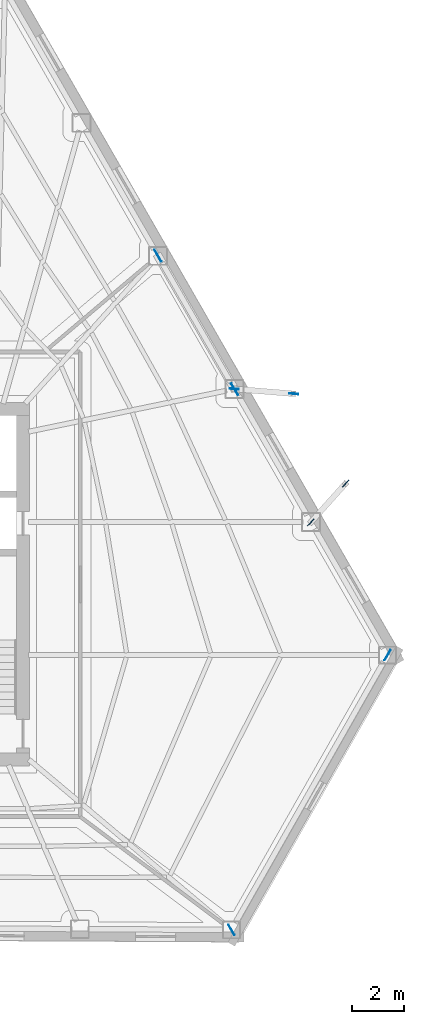
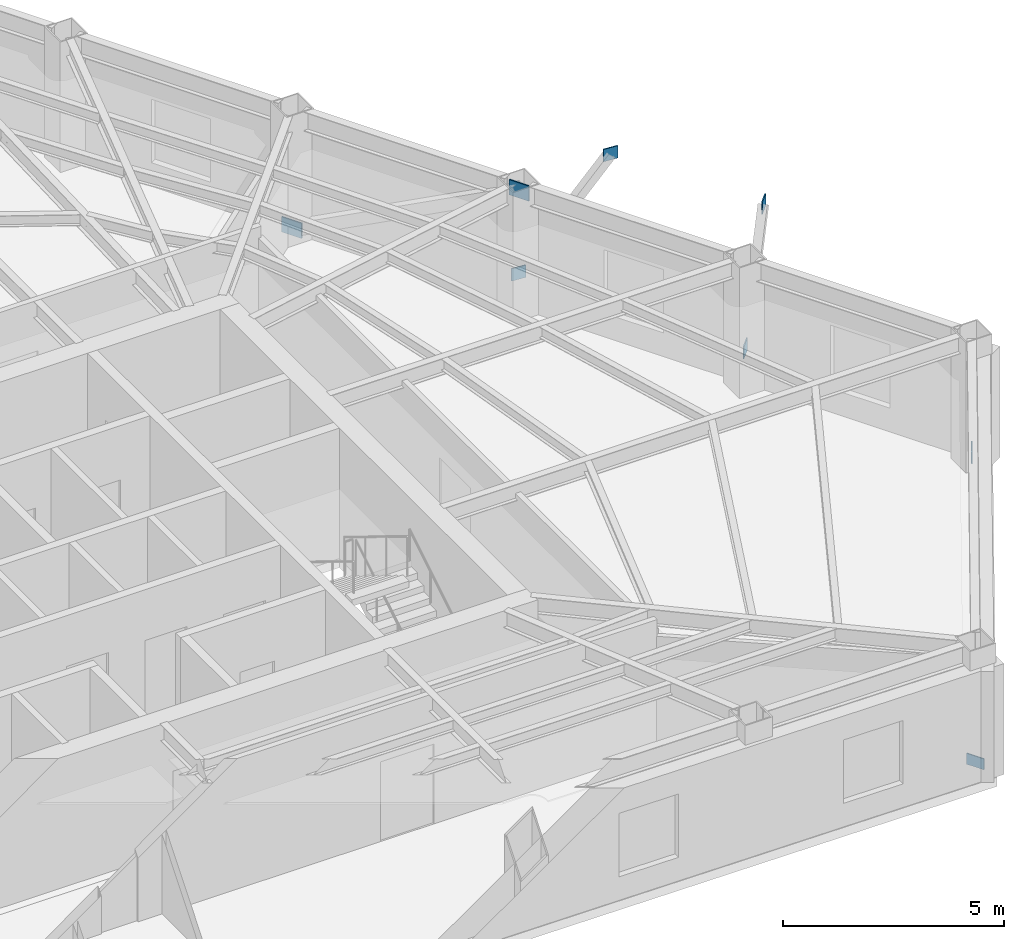
# One storey, part 5 of 13: 8 plates.
"""IFC4 building model written with IfcOpenShell, lengths in metres."""

from ifc_helpers import new_model, si_unit, direction, frame, origin, origin_2d, place, context, subcontext, project, spatial, rectangle, extrude, material, layer, layer_set, type_object, element, save


model = new_model("IFC4")

# Units and contexts
model_context = context("Model", 3, precision=1e-05, world=origin(), true_north=direction((0.0, 1.0)))
body_context = subcontext(model_context, "Body", "Model", "MODEL_VIEW")
ifc_project = project(units=[si_unit("LENGTHUNIT", "METRE"), si_unit("AREAUNIT", "SQUARE_METRE"), si_unit("VOLUMEUNIT", "CUBIC_METRE"), si_unit("PLANEANGLEUNIT", "RADIAN"), si_unit("MASSUNIT", "GRAM", prefix="KILO")], contexts=[model_context])

# Site, building, storey
site_placement = place(None, origin())
site = spatial("IfcSite", under=ifc_project, at=site_placement, CompositionType="ELEMENT")
building_placement = place(site_placement, origin())
building = spatial("IfcBuilding", under=site, at=building_placement, Name="Kavelnor Concourse Tower", CompositionType="ELEMENT")
storey_placement = place(building_placement, frame((0.0, 0.0, 108.60009765625)))
storey = spatial("IfcBuildingStorey", under=building, at=storey_placement, Name="L27", CompositionType="ELEMENT", Elevation=108.60009765625)

# Plates
ifc_material = material(Name="Steel Grade 350", Category="steel")
ifc_layer_1 = layer(ifc_material, 0.028076171875, Name="Steel Grade 350")
ifc_layer_set_1 = layer_set([ifc_layer_1], Name="Steel Grade 350")
plate_type_1 = type_object("IfcPlateType", Name="PL-GUSSET-FOLD", PredefinedType="USERDEFINED", material=ifc_layer_set_1)
for number, where, z_axis, x_axis, name in (
    (1, (55.797119140625, 2.784912109375, 0.10009765625), (0.0, 0.0, 1.0), (-0.5, 0.866025403784, 0.0), "L27 Herringbone Corner-Fold Kink Gusset Plate F1-B6"),
    (2, (61.810791015625, 13.372802734375, 0.10009765625), (0.0, 0.0, 1.0), (-0.5, -0.866025403784, 0.0), "L27 Herringbone Corner-Fold Kink Gusset Plate F2-B0"),
):
    element("IfcPlate", number, at=place(storey_placement, frame(where, z_axis=z_axis, x_axis=x_axis)), inside=storey, type_object=plate_type_1, Name=name, ObjectType="GUSSET_PLATE", PredefinedType="USERDEFINED", context=body_context, shape_type="SweptSolid", body=[
        extrude(rectangle(XDim=0.4599609375, YDim=0.028076171875, at=origin_2d()), origin(), (0.0, 0.0, 1.0), 0.300048828125),
    ])
for number, where, z_axis, x_axis, name in (
    (3, (58.85498046875, 18.491943359375, 0.8798828125), (0.0, 0.0, 1.0), (0.66796245217, 0.744194976126, 0.0), "L27 Balcony Strut Gusset GP4 2-A End Gusset A"),
    (4, (60.19921875, 19.98974609375, 3.48486328125), (0.0, 0.0, 1.0), (0.66796245217, 0.744194976126, 0.0), "L27 Balcony Strut Gusset GP4 2-A End Gusset B"),
    (5, (55.903076171875, 23.6298828125, 0.8798828125), (0.0, 0.0, 1.0), (0.996665928034, -0.081590611568, 0.0), "L27 Balcony Strut Gusset GP4 2-B End Gusset A"),
    (6, (58.19970703125, 23.442138671875, 3.48486328125), (0.0, 0.0, 1.0), (0.996665928034, -0.081590611568, 0.0), "L27 Balcony Strut Gusset GP4 2-B End Gusset B"),
):
    element("IfcPlate", number, at=place(storey_placement, frame(where, z_axis=z_axis, x_axis=x_axis)), inside=storey, type_object=plate_type_1, Name=name, ObjectType="GUSSET_PLATE", PredefinedType="USERDEFINED", context=body_context, shape_type="SweptSolid", body=[
        extrude(rectangle(XDim=0.360107421875, YDim=0.028076171875, at=origin_2d()), origin(), (0.0, 0.0, 1.0), 0.340087890625),
    ])
ifc_layer_2 = layer(ifc_material, 0.031982421875, Name="Steel Grade 350")
ifc_layer_set_2 = layer_set([ifc_layer_2], Name="Steel Grade 350")
plate_type_2 = type_object("IfcPlateType", Name="PL-GUSSET-TUBE-Z1", PredefinedType="USERDEFINED", material=ifc_layer_set_2)
for number, where, z_axis, x_axis, name in (
    (7, (52.961181640625, 28.767578125, 0.010009765625), (0.0, 0.0, 1.0), (0.498336430137, -0.866983738255, 0.0), "L27 Tube Brace Gusset GP3 F2-B2 End Gusset A"),
    (8, (55.9208984375, 23.61865234375, 3.12353515625), (0.0, 0.0, 1.0), (0.498336430137, -0.866983738255, 0.0), "L27 Tube Brace Gusset GP3 F2-B2 End Gusset B"),
):
    element("IfcPlate", number, at=place(storey_placement, frame(where, z_axis=z_axis, x_axis=x_axis)), inside=storey, type_object=plate_type_2, Name=name, ObjectType="GUSSET_PLATE", PredefinedType="USERDEFINED", context=body_context, shape_type="SweptSolid", body=[
        extrude(rectangle(XDim=0.52001953125, YDim=0.031982421875, at=origin_2d()), origin(), (0.0, 0.0, 1.0), 0.419921875),
    ])

save(model, "model.ifc")
